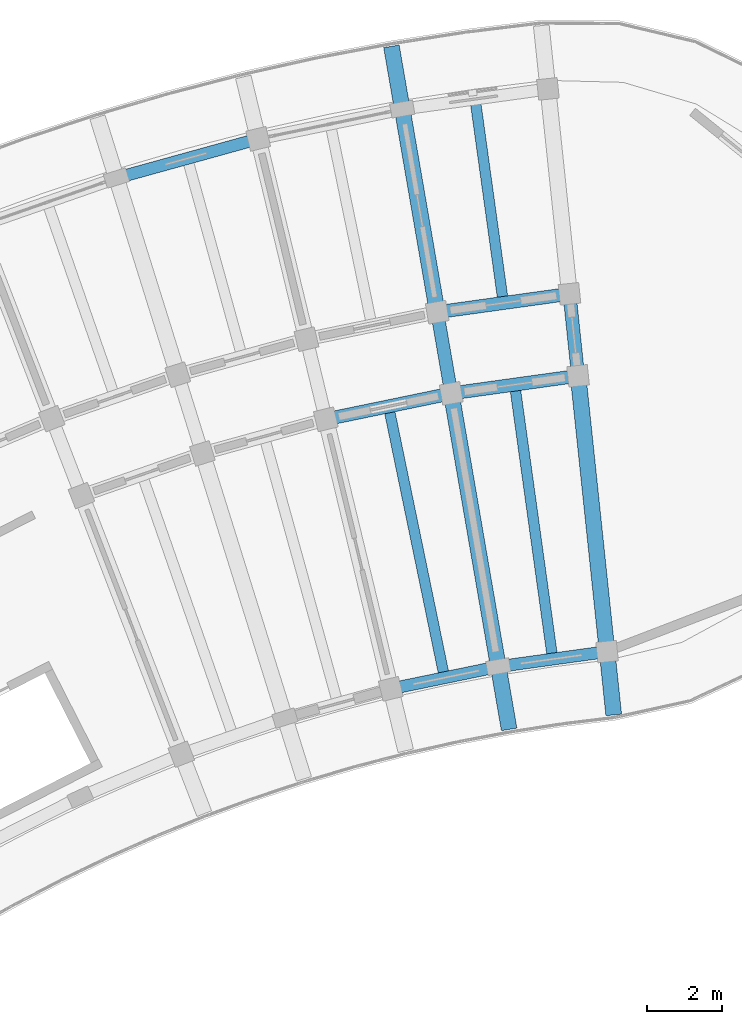
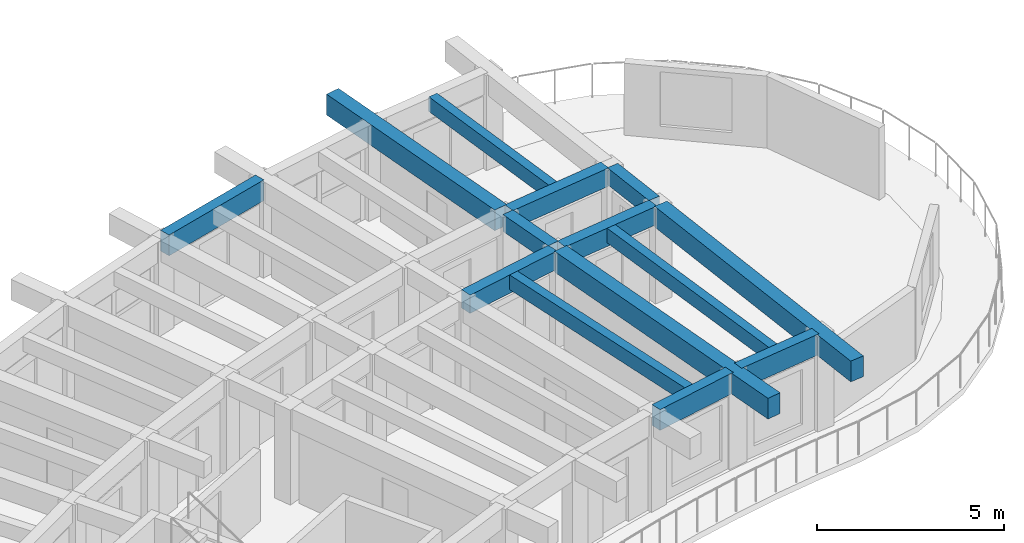
# One storey, part 22 of 96: 14 beams.
"""IFC4 building model written with IfcOpenShell, lengths in metres."""

from ifc_helpers import new_model, si_unit, direction, frame, origin, origin_2d, place, context, subcontext, project, spatial, rectangle, extrude, material, material_profile, profile_set, type_object, element, save


model = new_model("IFC4")

# Units and contexts
model_context = context("Model", 3, precision=1e-05, world=origin(), true_north=direction((0.0, 1.0)))
body_context = subcontext(model_context, "Body", "Model", "MODEL_VIEW")
ifc_project = project(units=[si_unit("LENGTHUNIT", "METRE"), si_unit("AREAUNIT", "SQUARE_METRE"), si_unit("VOLUMEUNIT", "CUBIC_METRE"), si_unit("PLANEANGLEUNIT", "RADIAN"), si_unit("MASSUNIT", "GRAM", prefix="KILO")], contexts=[model_context])

# Site, building, storey
site_placement = place(None, origin())
site = spatial("IfcSite", under=ifc_project, at=site_placement, CompositionType="ELEMENT")
building_placement = place(site_placement, origin())
building = spatial("IfcBuilding", under=site, at=building_placement, Name="Tanwirah Colonnade Gardens", CompositionType="ELEMENT")
storey_placement = place(building_placement, frame((0.0, 0.0, 12.199951171875)))
storey = spatial("IfcBuildingStorey", under=building, at=storey_placement, Name="L03", CompositionType="ELEMENT", Elevation=12.199951171875)

# Beams
ifc_material_1 = material(Name="Precast concrete C40/50", Category="concrete")
ifc_material_profile_1 = material_profile(ifc_material_1, rectangle(XDim=0.35009765625, YDim=0.550048828125, at=origin_2d()), Name="PC-BM 350x550")
ifc_profile_set_1 = profile_set([ifc_material_profile_1], Name="Precast concrete C40/50")
beam_type_1 = type_object("IfcBeamType", Name="BM-PC350A", PredefinedType="BEAM", material=ifc_profile_set_1)
for number, where, z_axis, x_axis, name in (
    (1, (59.564453125, 111.9150390625, 2.830078125), (-0.104464057197, 0.994528662611, 0.0), (-0.994528662611, -0.104464057197, 0.0), "Block A L03 Corridor Tie Beam 0"),
    (2, (56.1689453125, 111.444580078125, 2.830078125), (-0.169855285462, 0.985469016256, 0.0), (-0.985469016256, -0.169855285462, 0.0), "Block A L03 Corridor Tie Beam 1"),
):
    element("IfcBeam", number, at=place(storey_placement, frame(where, z_axis=z_axis, x_axis=x_axis)), inside=storey, type_object=beam_type_1, Name=name, PredefinedType="BEAM", context=body_context, shape_type="SweptSolid", body=[
        extrude(rectangle(XDim=0.35009765625, YDim=0.550048828125, at=origin_2d()), origin(), (0.0, 0.0, 1.0), 1.900146484375),
    ])
ifc_material_profile_2 = material_profile(ifc_material_1, rectangle(XDim=0.35009765625, YDim=0.60009765625, at=origin_2d()), Name="PC-BM 350x600")
ifc_profile_set_2 = profile_set([ifc_material_profile_2], Name="Precast concrete C40/50")
beam_type_2 = type_object("IfcBeamType", Name="BM-PC350B", PredefinedType="BEAM", material=ifc_profile_set_2)
beam_1_placement = place(storey_placement, frame((59.431640625, 111.745361328125, 2.804931640625), z_axis=(-0.990535787723, -0.137254702069, 0.0), x_axis=(0.137254702069, -0.990535787723, 0.0)))
element("IfcBeam", 3, at=beam_1_placement, inside=storey, type_object=beam_type_2, Name="Block A L03 Circumferential Beam 0-R1", PredefinedType="BEAM", context=body_context, shape_type="SweptSolid", body=[
    extrude(rectangle(XDim=0.35009765625, YDim=0.60009765625, at=origin_2d()), origin(), (0.0, 0.0, 1.0), 3.1181640625),
])
beam_2_placement = place(storey_placement, frame((59.20166015625, 113.933349609375, 2.804931640625), z_axis=(-0.990530465749, -0.13729310406, 0.0), x_axis=(0.13729310406, -0.990530465749, 0.0)))
element("IfcBeam", 4, at=beam_2_placement, inside=storey, type_object=beam_type_2, Name="Block A L03 Circumferential Beam 0-R2", PredefinedType="BEAM", context=body_context, shape_type="SweptSolid", body=[
    extrude(rectangle(XDim=0.35009765625, YDim=0.60009765625, at=origin_2d()), origin(), (0.0, 0.0, 1.0), 3.26318359375),
])
beam_3_placement = place(storey_placement, frame((56.047607421875, 111.2666015625, 2.804931640625), z_axis=(-0.979335880607, -0.202240532428, 0.0), x_axis=(0.202240532428, -0.979335880607, 0.0)))
element("IfcBeam", 5, at=beam_3_placement, inside=storey, type_object=beam_type_2, Name="Block A L03 Circumferential Beam 1-R1", PredefinedType="BEAM", context=body_context, shape_type="SweptSolid", body=[
    extrude(rectangle(XDim=0.35009765625, YDim=0.60009765625, at=origin_2d()), origin(), (0.0, 0.0, 1.0), 3.1181640625),
])
ifc_material_2 = material(Name="Precast concrete C45/55", Category="concrete")
ifc_material_profile_3 = material_profile(ifc_material_2, rectangle(XDim=0.419921875, YDim=0.679931640625, at=origin_2d()), Name="PC-BM 420x680")
ifc_profile_set_3 = profile_set([ifc_material_profile_3], Name="Precast concrete C45/55")
beam_type_3 = type_object("IfcBeamType", Name="BM-PC420", PredefinedType="BEAM", material=ifc_profile_set_3)
for number, where, z_axis, x_axis, name in (
    (6, (59.595947265625, 111.61669921875, 2.76513671875), (0.104531425475, -0.994521584023, 0.0), (0.994521584023, 0.104531425475, 0.0), "Block A L03 Inner Radial Precast Girder 0"),
    (7, (56.219970703125, 111.14892578125, 2.76513671875), (0.169837490725, -0.985472083189, 0.0), (0.985472083189, 0.169837490725, 0.0), "Block A L03 Inner Radial Precast Girder 1"),
):
    element("IfcBeam", number, at=place(storey_placement, frame(where, z_axis=z_axis, x_axis=x_axis)), inside=storey, type_object=beam_type_3, Name=name, PredefinedType="BEAM", context=body_context, shape_type="SweptSolid", body=[
        extrude(rectangle(XDim=0.419921875, YDim=0.679931640625, at=origin_2d()), origin(), (0.0, 0.0, 1.0), 8.949951171875),
    ])
beam_4_placement = place(storey_placement, frame((55.79541015625, 113.61279296875, 2.76513671875), z_axis=(-0.169826898404, 0.985473908624, 0.0), x_axis=(-0.985473908624, -0.169826898404, 0.0)))
element("IfcBeam", 8, at=beam_4_placement, inside=storey, type_object=beam_type_3, Name="Block A L03 Outer Radial Precast Girder 1", PredefinedType="BEAM", context=body_context, shape_type="SweptSolid", body=[
    extrude(rectangle(XDim=0.419921875, YDim=0.679931640625, at=origin_2d()), origin(), (0.0, 0.0, 1.0), 7.0498046875),
])
ifc_material_profile_4 = material_profile(ifc_material_1, rectangle(XDim=0.280029296875, YDim=0.47998046875, at=origin_2d()), Name="PC-JST 280x480")
ifc_profile_set_4 = profile_set([ifc_material_profile_4], Name="Precast concrete C40/50")
beam_type_4 = type_object("IfcBeamType", Name="JST-PC280", PredefinedType="JOIST", material=ifc_profile_set_4)
beam_5_placement = place(storey_placement, frame((57.56494140625, 113.857421875, 2.864990234375), z_axis=(-0.137248344923, 0.990536668587, 0.0), x_axis=(-0.990536668587, -0.137248344923, 0.0)))
element("IfcBeam", 9, at=beam_5_placement, inside=storey, type_object=beam_type_4, Name="Block A L03 Precast Floor Joist 0", PredefinedType="JOIST", context=body_context, shape_type="SweptSolid", body=[
    extrude(rectangle(XDim=0.280029296875, YDim=0.47998046875, at=origin_2d()), origin(), (0.0, 0.0, 1.0), 5.260009765625),
])
for number, where, z_axis, x_axis, name in (
    (10, (58.882568359375, 104.34814453125, 2.864990234375), (-0.137243132462, 0.99053739081, 0.0), (-0.99053739081, -0.137243132462, 0.0), "Block A L03 Inner Precast Floor Joist 0"),
    (11, (55.987060546875, 103.84912109375, 2.864990234375), (-0.202197428816, 0.979344780851, 0.0), (-0.979344780851, -0.202197428816, 0.0), "Block A L03 Inner Precast Floor Joist 1"),
):
    element("IfcBeam", number, at=place(storey_placement, frame(where, z_axis=z_axis, x_axis=x_axis)), inside=storey, type_object=beam_type_4, Name=name, PredefinedType="JOIST", context=body_context, shape_type="SweptSolid", body=[
        extrude(rectangle(XDim=0.280029296875, YDim=0.47998046875, at=origin_2d()), origin(), (0.0, 0.0, 1.0), 7.16015625),
    ])
ifc_material_profile_5 = material_profile(ifc_material_2, rectangle(XDim=0.320068359375, YDim=0.679931640625, at=origin_2d()), Name="PC-SP 320x680")
ifc_profile_set_5 = profile_set([ifc_material_profile_5], Name="Precast concrete C45/55")
beam_type_5 = type_object("IfcBeamType", Name="SP-PC320", PredefinedType="SPANDREL", material=ifc_profile_set_5)
for number, where, z_axis, x_axis, name in (
    (12, (60.205078125, 104.385986328125, 2.76513671875), (-0.990531232354, -0.13728757311, 0.0), (0.13728757311, -0.990531232354, 0.0), "Block A L03 Circumferential Beam 0-R0"),
    (13, (57.30419921875, 103.973876953125, 2.76513671875), (-0.979351764611, -0.202163599974, 0.0), (0.202163599974, -0.979351764611, 0.0), "Block A L03 Circumferential Beam 1-R0"),
):
    element("IfcBeam", number, at=place(storey_placement, frame(where, z_axis=z_axis, x_axis=x_axis)), inside=storey, type_object=beam_type_5, Name=name, PredefinedType="SPANDREL", context=body_context, shape_type="SweptSolid", body=[
        extrude(rectangle(XDim=0.320068359375, YDim=0.679931640625, at=origin_2d()), origin(), (0.0, 0.0, 1.0), 2.630126953125),
    ])
beam_6_placement = place(storey_placement, frame((50.897705078125, 118.05126953125, 2.76513671875), z_axis=(-0.963888380927, -0.266306569792, 0.0), x_axis=(0.266306569792, -0.963888380927, 0.0)))
element("IfcBeam", 14, at=beam_6_placement, inside=storey, type_object=beam_type_5, Name="Block A L03 Circumferential Beam 2-R3", PredefinedType="SPANDREL", context=body_context, shape_type="SweptSolid", body=[
    extrude(rectangle(XDim=0.320068359375, YDim=0.679931640625, at=origin_2d()), origin(), (0.0, 0.0, 1.0), 3.625732421875),
])

save(model, "model.ifc")
